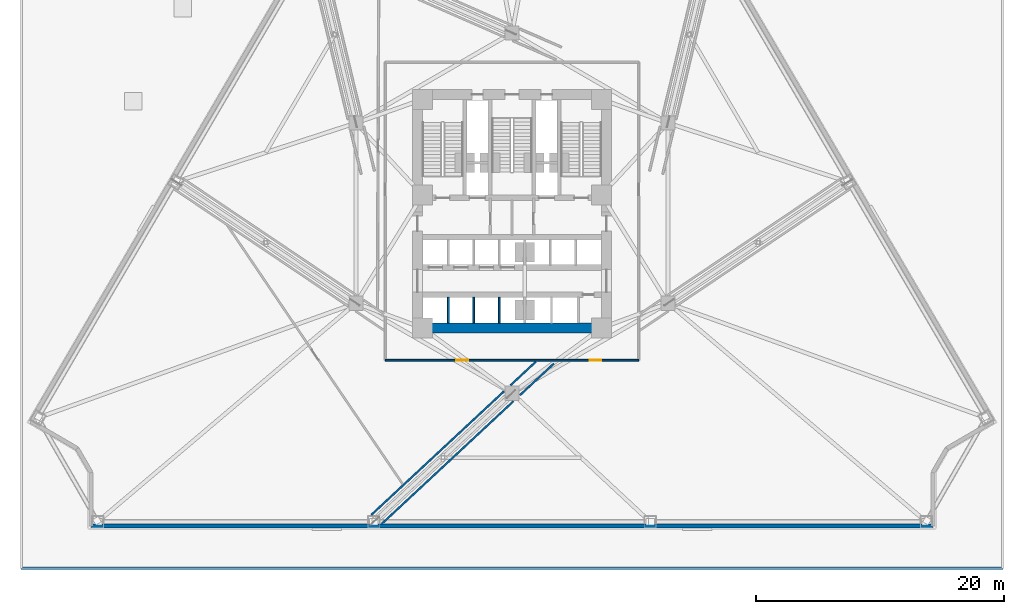
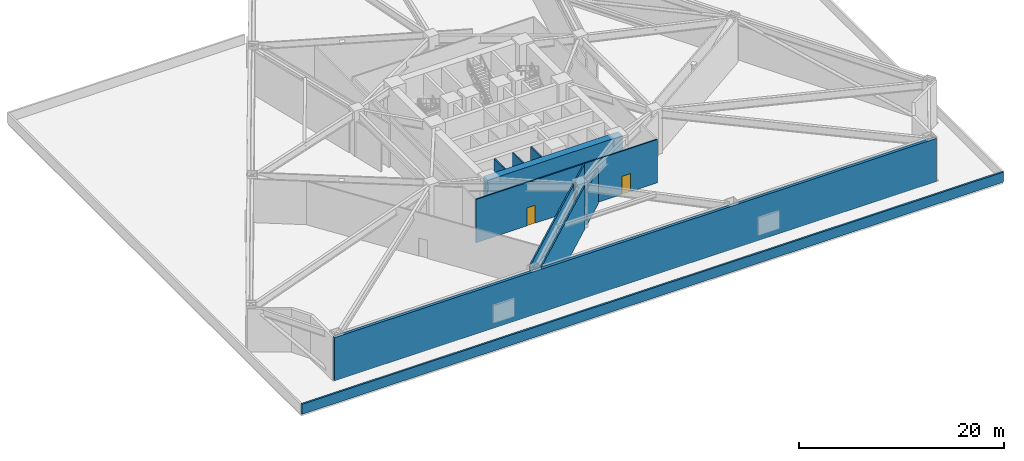
# One storey, part 15 of 23: 11 walls, 2 doors, 2 openings.
"""IFC4 building model written with IfcOpenShell, lengths in metres."""

from ifc_helpers import new_model, si_unit, direction, frame, frame_2d, origin, place, context, subcontext, project, spatial, rectangle, extrude, material, layer, layer_set, type_object, element, fill, save


model = new_model("IFC4")

# Units and contexts
model_context = context("Model", 3, precision=1e-05, world=origin(), true_north=direction((0.0, 1.0)))
body_context = subcontext(model_context, "Body", "Model", "MODEL_VIEW")
ifc_project = project(units=[si_unit("LENGTHUNIT", "METRE"), si_unit("AREAUNIT", "SQUARE_METRE"), si_unit("VOLUMEUNIT", "CUBIC_METRE"), si_unit("PLANEANGLEUNIT", "RADIAN"), si_unit("MASSUNIT", "GRAM", prefix="KILO")], contexts=[model_context])

# Site, building, storey
site_placement = place(None, origin())
site = spatial("IfcSite", under=ifc_project, at=site_placement, CompositionType="ELEMENT")
building_placement = place(site_placement, origin())
building = spatial("IfcBuilding", under=site, at=building_placement, Name="Apsidion Concourse Tower", CompositionType="ELEMENT")
storey_placement = place(building_placement, frame((0.0, 0.0, 29.0)))
storey = spatial("IfcBuildingStorey", under=building, at=storey_placement, Name="L05", CompositionType="ELEMENT", Elevation=29.0)

# Walls
ifc_material_1 = material(Name="Precast concrete C40/50", Category="concrete")
ifc_layer_1 = layer(ifc_material_1, 0.320068359375)
ifc_layer_set_1 = layer_set([ifc_layer_1], Name="Precast concrete C40/50")
wall_type_1 = type_object("IfcWallType", Name="WL-EXT-320", PredefinedType="STANDARD", material=ifc_layer_set_1)
wall_1_placement = place(storey_placement, frame((33.88818359375, -25.199951171875, 0.0), z_axis=(0.0, 0.0, 1.0), x_axis=(-1.0, 0.0, 0.0)))
element("IfcWall", 1, at=wall_1_placement, inside=storey, type_object=wall_type_1, Name="L05 Precast Stone Facade Wall 05", PredefinedType="STANDARD", context=body_context, shape_type="SweptSolid", body=[
    extrude(rectangle(XDim=67.7763671875, YDim=0.320068359375, at=frame_2d((33.88818359375, 0.0))), origin(), (0.0, 0.0, 1.0), 5.14990234375),
])
ifc_material_2 = material(Name="Gypsum plasterboard partition")
ifc_layer_2 = layer(ifc_material_2, 0.14990234375)
ifc_layer_set_2 = layer_set([ifc_layer_2], Name="Gypsum plasterboard partition")
wall_type_2 = type_object("IfcWallType", Name="WL-INT-PAR-150", PredefinedType="PARTITIONING", material=ifc_layer_set_2)
for number, where, z_axis, x_axis, name in (
    (2, (-5.125, -8.85009765625, 0.0), (0.0, 0.0, 1.0), (0.0, 1.0, 0.0), "L05 Interior Partition WL-L05-B2DIV-1"),
    (3, (-3.074951171875, -8.85009765625, 0.0), (0.0, 0.0, 1.0), (0.0, 1.0, 0.0), "L05 Interior Partition WL-L05-B2DIV-2"),
    (4, (-1.02490234375, -8.85009765625, 0.0), (0.0, 0.0, 1.0), (0.0, 1.0, 0.0), "L05 Interior Partition WL-L05-B2DIV-3"),
):
    element("IfcWall", number, at=place(storey_placement, frame(where, z_axis=z_axis, x_axis=x_axis)), inside=storey, type_object=wall_type_2, Name=name, PredefinedType="PARTITIONING", context=body_context, shape_type="SweptSolid", body=[
        extrude(rectangle(XDim=2.080078125, YDim=0.14990234375, at=frame_2d((1.0400390625, 0.0))), origin(), (0.0, 0.0, 1.0), 5.14990234375),
    ])

# Wall, openings, doors
wall_2_placement = place(storey_placement, frame((10.199951171875, -11.85009765625, 0.0), z_axis=(0.0, 0.0, 1.0), x_axis=(-1.0, 0.0, 0.0)))
wall_2 = element("IfcWall", 5, at=wall_2_placement, inside=storey, type_object=wall_type_2, Name="L05 Interior Partition WL-L05-CORR-03", PredefinedType="PARTITIONING", context=body_context, shape_type="SweptSolid", body=[
    extrude(rectangle(XDim=20.39990234375, YDim=0.14990234375, at=frame_2d((10.199951171875, 0.0))), origin(), (0.0, 0.0, 1.0), 5.14990234375),
])
opening_1_placement = place(wall_2_placement, frame((2.9970703125, 0.0, 0.0)))
opening_1 = element("IfcOpeningElement", 6, at=opening_1_placement, cuts=wall_2, Name="Opening D-01R", PredefinedType="OPENING", context=body_context, shape_type="SweptSolid", body=[
    extrude(rectangle(XDim=0.949951171875, YDim=2.14990234375, at=frame_2d((0.47509765625, 1.074951171875))), frame((0.0, 0.0849609375, 0.0), z_axis=(0.0, -1.0, 0.0), x_axis=(1.0, 0.0, 0.0)), (0.0, 0.0, 1.0), 0.169921875),
])
opening_2_placement = place(wall_2_placement, frame((13.73779296875, 0.0, 0.0)))
opening_2 = element("IfcOpeningElement", 7, at=opening_2_placement, cuts=wall_2, Name="Opening D-01L", PredefinedType="OPENING", context=body_context, shape_type="SweptSolid", body=[
    extrude(rectangle(XDim=0.949951171875, YDim=2.14990234375, at=frame_2d((0.47509765625, 1.074951171875))), frame((0.0, 0.0849609375, 0.0), z_axis=(0.0, -1.0, 0.0), x_axis=(1.0, 0.0, 0.0)), (0.0, 0.0, 1.0), 0.169921875),
])
ifc_material_3 = material(Name="Brushed stainless steel 316", Category="steel")
door_type_1 = type_object("IfcDoorType", Name="DR-INT-D01L", OperationType="SINGLE_SWING_LEFT", PredefinedType="DOOR", material=ifc_material_3)
door_1_placement = place(opening_2_placement, origin())
door_1 = element("IfcDoor", 8, at=door_1_placement, inside=storey, type_object=door_type_1, Name="L05 Corridor Entry Door 03", OperationType="SINGLE_SWING_LEFT", OverallHeight=2.14990234375, OverallWidth=0.949951171875, PredefinedType="DOOR", context=body_context, shape_type="SweptSolid", body=[
    extrude(rectangle(XDim=0.949951171875, YDim=2.14990234375, at=frame_2d((0.47509765625, 1.074951171875))), frame((0.0, 0.02490234375, 0.0), z_axis=(0.0, -1.0, 0.0), x_axis=(1.0, 0.0, 0.0)), (0.0, 0.0, 1.0), 0.050048828125),
])
fill(opening_2, door_1)
door_type_2 = type_object("IfcDoorType", Name="DR-INT-D01R", OperationType="SINGLE_SWING_RIGHT", PredefinedType="DOOR", material=ifc_material_3)
door_2_placement = place(opening_1_placement, origin())
door_2 = element("IfcDoor", 9, at=door_2_placement, inside=storey, type_object=door_type_2, Name="L05 Corridor Entry Door 02", OperationType="SINGLE_SWING_RIGHT", OverallHeight=2.14990234375, OverallWidth=0.949951171875, PredefinedType="DOOR", context=body_context, shape_type="SweptSolid", body=[
    extrude(rectangle(XDim=0.949951171875, YDim=2.14990234375, at=frame_2d((0.47509765625, 1.074951171875))), frame((0.0, 0.02490234375, 0.0), z_axis=(0.0, -1.0, 0.0), x_axis=(1.0, 0.0, 0.0)), (0.0, 0.0, 1.0), 0.050048828125),
])
fill(opening_1, door_2)

# Walls
wall_3_placement = place(storey_placement, frame((1.92626953125, -11.955078125, 0.0), z_axis=(0.0, 0.0, 1.0), x_axis=(-0.731914945049, -0.681396003227, 0.0)))
element("IfcWall", 10, at=wall_3_placement, inside=storey, type_object=wall_type_2, Name="L05 Interior Partition WL-L05-OTW-06-1-1", PredefinedType="PARTITIONING", context=body_context, shape_type="SweptSolid", body=[
    extrude(rectangle(XDim=2.802978515625, YDim=0.14990234375, at=frame_2d((1.4013671875, 0.0))), origin(), (0.0, 0.0, 1.0), 5.14990234375),
])
wall_4_placement = place(storey_placement, frame((-0.635009765625, -14.339599609375, 0.0), z_axis=(0.0, 0.0, 1.0), x_axis=(-0.731885923574, -0.681427175034, 0.0)))
element("IfcWall", 11, at=wall_4_placement, inside=storey, type_object=wall_type_2, Name="L05 Interior Partition WL-L05-OTW-06-1-2", PredefinedType="PARTITIONING", context=body_context, shape_type="SweptSolid", body=[
    extrude(rectangle(XDim=14.602294921875, YDim=0.14990234375, at=frame_2d((7.30126953125, 0.0))), origin(), (0.0, 0.0, 1.0), 5.14990234375),
])
wall_5_placement = place(storey_placement, frame((3.37548828125, -12.108642578125, 0.0), z_axis=(0.0, 0.0, 1.0), x_axis=(-0.731889489201, -0.681423345357, 0.0)))
element("IfcWall", 12, at=wall_5_placement, inside=storey, type_object=wall_type_2, Name="L05 Interior Partition WL-L05-OTW-06-2-1", PredefinedType="PARTITIONING", context=body_context, shape_type="SweptSolid", body=[
    extrude(rectangle(XDim=3.744384765625, YDim=0.14990234375, at=frame_2d((1.8720703125, 0.0))), origin(), (0.0, 0.0, 1.0), 4.197998046875),
])
wall_6_placement = place(storey_placement, frame((0.125, -15.135009765625, 0.0), z_axis=(0.0, 0.0, 1.0), x_axis=(-0.731896577984, -0.6814157315, 0.0)))
element("IfcWall", 13, at=wall_6_placement, inside=storey, type_object=wall_type_2, Name="L05 Interior Partition WL-L05-OTW-06-2-2", PredefinedType="PARTITIONING", context=body_context, shape_type="SweptSolid", body=[
    extrude(rectangle(XDim=14.513671875, YDim=0.14990234375, at=frame_2d((7.2568359375, 0.0))), origin(), (0.0, 0.0, 1.0), 5.14990234375),
])
ifc_layer_3 = layer(ifc_material_1, 0.199951171875)
ifc_layer_set_3 = layer_set([ifc_layer_3], Name="Precast concrete C40/50")
wall_type_3 = type_object("IfcWallType", Name="WL-PAR-200", PredefinedType="PARAPET", material=ifc_layer_set_3)
wall_7_placement = place(storey_placement, frame((39.5, -28.60009765625, 0.0), z_axis=(0.0, 0.0, 1.0), x_axis=(-1.0, 0.0, 0.0)))
element("IfcWall", 14, at=wall_7_placement, inside=storey, type_object=wall_type_3, Name="L05 Podium Maintenance Roof Parapet 2", PredefinedType="PARAPET", context=body_context, shape_type="SweptSolid", body=[
    extrude(rectangle(XDim=79.0, YDim=0.199951171875, at=frame_2d((39.5, 0.0))), origin(), (0.0, 0.0, 1.0), 1.199951171875),
])
ifc_material_4 = material(Name="Concrete C60/75", Category="concrete")
ifc_layer_4 = layer(ifc_material_4, 0.800048828125)
ifc_layer_set_4 = layer_set([ifc_layer_4], Name="Concrete C60/75")
wall_type_4 = type_object("IfcWallType", Name="WL-SH-800", PredefinedType="SHEAR", material=ifc_layer_set_4)
wall_8_placement = place(storey_placement, frame((-7.60009765625, -9.25, 0.0), z_axis=(0.0, 0.0, 1.0), x_axis=(1.0, 0.0, 0.0)))
element("IfcWall", 15, at=wall_8_placement, inside=storey, type_object=wall_type_4, Name="L05 Central Core Shear Wall S", PredefinedType="SHEAR", context=body_context, shape_type="SweptSolid", body=[
    extrude(rectangle(XDim=15.2001953125, YDim=0.800048828125, at=frame_2d((7.60009765625, 0.0))), origin(), (0.0, 0.0, 1.0), 5.14990234375),
])

save(model, "model.ifc")
